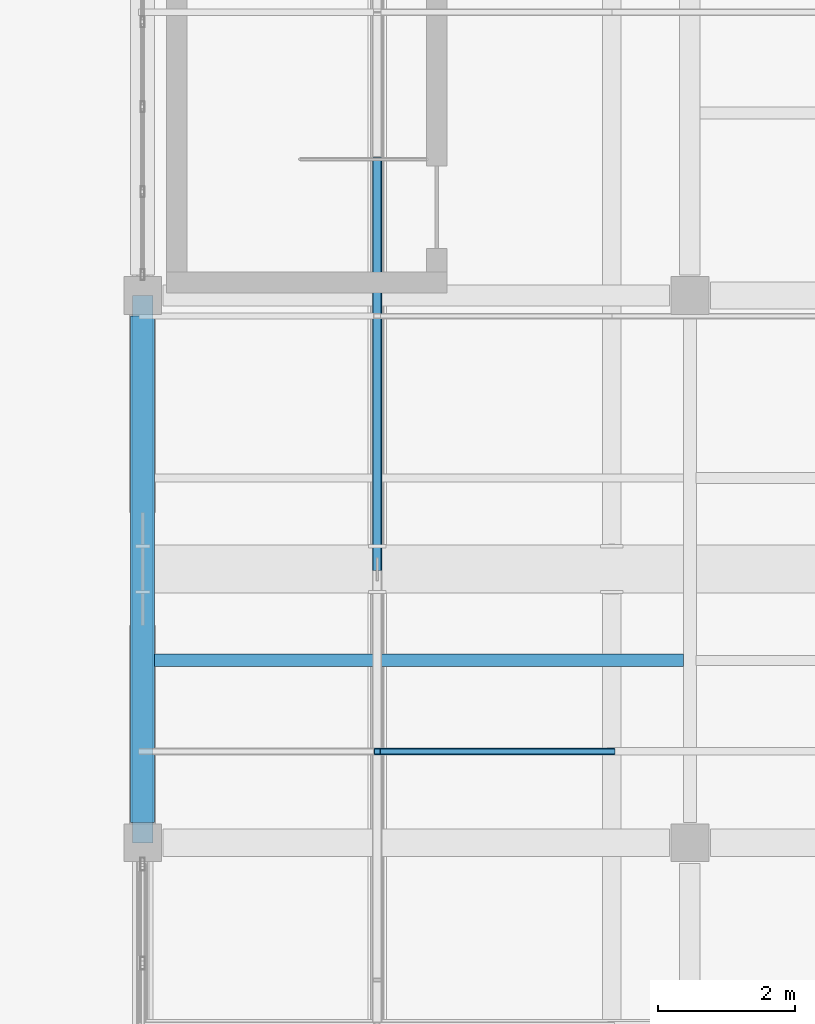
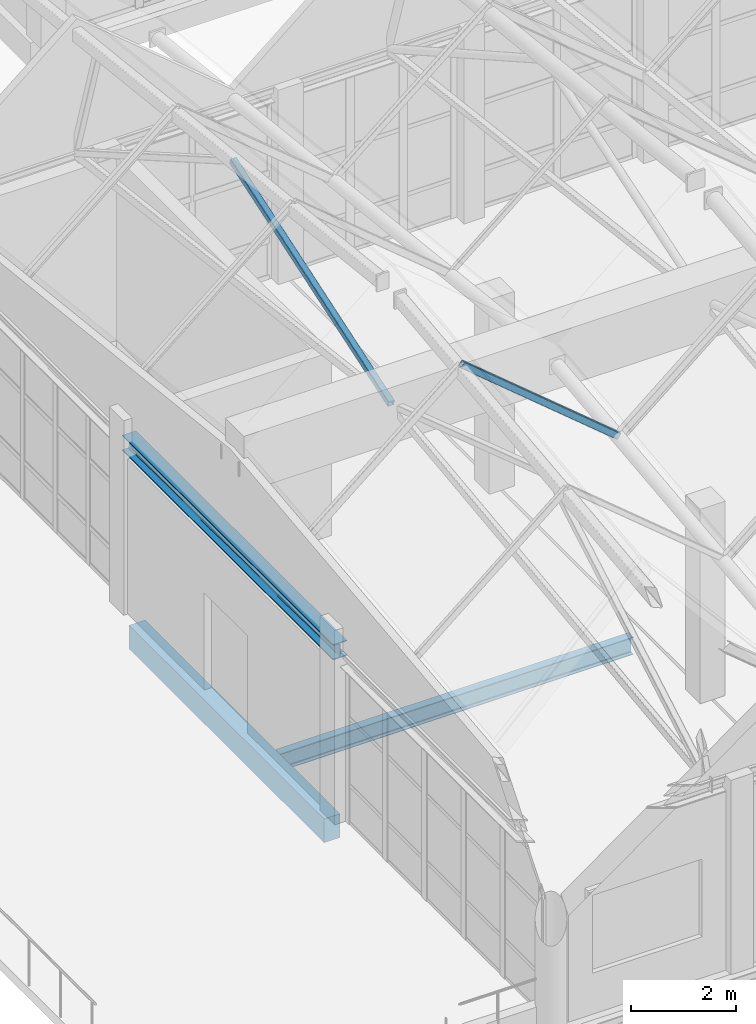
# One storey, part 55 of 183: 3 beams, 2 members.
"""IFC4 building model written with IfcOpenShell, lengths in metres."""

import ifcopenshell
import ifcopenshell.guid

model = None  # the IFC model being written
_history = None  # IfcOwnerHistory: only IFC2X3 demands one
_inside = {}  # id of a spatial element -> (the spatial element, [elements in it])
_under = {}  # id of a project, library or spatial element -> (it, [spatial elements below it])
_declared = {}  # id of a project -> (the project, [libraries it declares])
_typed = {}  # id of a type object -> (the type object, [elements of that type])
_made_of = {}  # id of a material, layer set ... -> (it, [elements and type objects made of it])


def new_model(schema):
    """Start an empty IFC model of exactly this schema.

    Asked for "IFC4X3", IfcOpenShell would pick the latest addendum, in which some entities
    have other attributes; the version numbers below select the first issue.
    IFC2X3 requires an IfcOwnerHistory on every rooted entity: one is made here for all.
    """
    global model, _history
    if schema == "IFC4X3":
        model = ifcopenshell.file(schema_version=(4, 3, 0, 0))
    else:
        model = ifcopenshell.file(schema=schema)
    _inside.clear()
    _under.clear()
    _declared.clear()
    _typed.clear()
    _made_of.clear()
    _history = None
    if model.schema == "IFC2X3":
        org = make("IfcOrganization", Name="unknown")
        user = make(
            "IfcPersonAndOrganization",
            ThePerson=make("IfcPerson", FamilyName="unknown"),
            TheOrganization=org,
        )
        app = make(
            "IfcApplication",
            ApplicationDeveloper=org,
            Version="unknown",
            ApplicationFullName="unknown",
            ApplicationIdentifier="unknown",
        )
        _history = make(
            "IfcOwnerHistory",
            OwningUser=user,
            OwningApplication=app,
            ChangeAction="ADDED",
            CreationDate=0,
        )
    return model


def make(cls, **values):
    """One entity of the class cls with the attributes given. An attribute that is None is left unset."""
    return model.create_entity(
        cls, **{name: value for name, value in values.items() if value is not None}
    )


def rooted(cls, **values):
    """An entity with a GlobalId (a new one), such as an element, a storey or a relation."""
    return make(cls, GlobalId=ifcopenshell.guid.new(), OwnerHistory=_history, **values)


def si_unit(unit_type, name, prefix=None):
    """IfcSIUnit, for example si_unit("LENGTHUNIT", "METRE", prefix="MILLI")."""
    return make("IfcSIUnit", UnitType=unit_type, Prefix=prefix, Name=name)


def assignment(units):
    """IfcUnitAssignment: the units of a project."""
    return None if units is None else make("IfcUnitAssignment", Units=units)


def point(xyz):
    """IfcCartesianPoint."""
    return None if xyz is None else make("IfcCartesianPoint", Coordinates=xyz)


def direction(xyz):
    """IfcDirection."""
    return None if xyz is None else make("IfcDirection", DirectionRatios=xyz)


def frame(location, z_axis=None, x_axis=None):
    """IfcAxis2Placement3D, a coordinate frame: its origin and axes. An axis left out is left unset."""
    return make(
        "IfcAxis2Placement3D",
        Location=point(location),
        Axis=direction(z_axis),
        RefDirection=direction(x_axis),
    )


def frame_2d(location, x_axis=None):
    """IfcAxis2Placement2D, a coordinate frame in the plane: its origin and x axis."""
    return make(
        "IfcAxis2Placement2D", Location=point(location), RefDirection=direction(x_axis)
    )


def origin():
    """The frame at (0, 0, 0) with its axes left unset."""
    return frame((0.0, 0.0, 0.0))


def origin_2d():
    """The frame at (0, 0) in the plane with its x axis left unset."""
    return frame_2d((0.0, 0.0))


def place(relative_to, where):
    """IfcLocalPlacement: puts the frame where relative to a parent placement (None: the world)."""
    return make(
        "IfcLocalPlacement", PlacementRelTo=relative_to, RelativePlacement=where
    )


def context(
    kind, dimensions, precision=None, world=None, true_north=None, identifier=None
):
    """IfcGeometricRepresentationContext, for example the 3D "Model" context."""
    return make(
        "IfcGeometricRepresentationContext",
        ContextIdentifier=identifier,
        ContextType=kind,
        CoordinateSpaceDimension=dimensions,
        Precision=precision,
        WorldCoordinateSystem=world,
        TrueNorth=true_north,
    )


def subcontext(parent, identifier, kind, view, scale=None):
    """IfcGeometricRepresentationSubContext, for example "Body" below "Model"."""
    return make(
        "IfcGeometricRepresentationSubContext",
        ContextIdentifier=identifier,
        ContextType=kind,
        ParentContext=parent,
        TargetScale=scale,
        TargetView=view,
    )


def project(units=None, contexts=None):
    """IfcProject with its units and contexts."""
    return rooted(
        "IfcProject",
        Name="project",
        RepresentationContexts=contexts,
        UnitsInContext=assignment(units),
    )


def spatial(cls, under=None, at=None, **own):
    """A site, building, storey or space (cls), placed at a placement, below another one or the project."""
    s = rooted(cls, ObjectPlacement=at, **own)
    if under is not None:
        _under.setdefault(under.id(), (under, []))[1].append(s)
    return s


def profile(cls, at=None, kind="AREA", **sizes):
    """A parametric profile (cls). Its sizes go by their IFC names, for example OverallWidth=200.0."""
    return make(cls, ProfileType=kind, Position=at, **sizes)


def rectangle(**sizes):
    """IfcRectangleProfileDef."""
    return profile("IfcRectangleProfileDef", **sizes)


def hollow_rectangle(**sizes):
    """IfcRectangleHollowProfileDef."""
    return profile("IfcRectangleHollowProfileDef", **sizes)


def i_section(**sizes):
    """IfcIShapeProfileDef."""
    return profile("IfcIShapeProfileDef", **sizes)


def extrude(swept, where, along, depth):
    """IfcExtrudedAreaSolid: the profile swept, set in the frame where, extruded along a direction by depth."""
    return make(
        "IfcExtrudedAreaSolid",
        SweptArea=swept,
        Position=where,
        ExtrudedDirection=direction(along),
        Depth=depth,
    )


def shape(context_of_items, identifier, shape_type, items):
    """IfcShapeRepresentation: the items that make up one representation, for example the "Body"."""
    return make(
        "IfcShapeRepresentation",
        ContextOfItems=context_of_items,
        RepresentationIdentifier=identifier,
        RepresentationType=shape_type,
        Items=items,
    )


def material(Name=None, Category=None):
    """IfcMaterial."""
    return make("IfcMaterial", Name=Name, Category=Category)


def material_profile(
    of_material, cross_section, Name=None, Category=None, Priority=None
):
    """IfcMaterialProfile: a cross section and its material."""
    return make(
        "IfcMaterialProfile",
        Name=Name,
        Material=of_material,
        Profile=cross_section,
        Priority=Priority,
        Category=Category,
    )


def profile_set(profiles, Name=None, composite=None):
    """IfcMaterialProfileSet."""
    return make(
        "IfcMaterialProfileSet",
        Name=Name,
        MaterialProfiles=profiles,
        CompositeProfile=composite,
    )


def made_of(thing, what):
    """Note that an element or type object is made of a material, layer set ...; save() writes the relation."""
    if what is not None:
        _made_of.setdefault(what.id(), (what, []))[1].append(thing)
    return thing


def type_object(cls, material=None, **own):
    """A type object (cls), such as IfcWallType, which elements share."""
    return made_of(rooted(cls, **own), material)


def element(
    cls,
    number,
    at=None,
    inside=None,
    cuts=None,
    type_object=None,
    material=None,
    context=None,
    identifier="Body",
    shape_type=None,
    held_by="IfcProductDefinitionShape",
    body=None,
    shapes=None,
    **own,
):
    """One element of the class cls, such as IfcWall. Its Tag is "e" and its number.

    at: its placement. inside: the storey or other place that contains it. cuts: it is an
    opening in that element (IfcRelVoidsElement). A single representation is given by context,
    identifier, shape_type and body (its items); several are given by shapes. held_by: the class
    of the entity that holds the representations. save() writes the other relations.
    """
    e = rooted(cls, Tag="e%d" % number, ObjectPlacement=at, **own)
    if body is not None:
        shapes = [shape(context, identifier, shape_type, body)]
    if shapes is not None:
        e.Representation = make(held_by, Representations=shapes)
    if inside is not None:
        _inside.setdefault(inside.id(), (inside, []))[1].append(e)
    if cuts is not None:
        rooted(
            "IfcRelVoidsElement", RelatingBuildingElement=cuts, RelatedOpeningElement=e
        )
    if type_object is not None:
        _typed.setdefault(type_object.id(), (type_object, []))[1].append(e)
    return made_of(e, material)


def aggregate(whole, parts):
    """IfcRelAggregates: a whole, such as a stair, and the parts it consists of."""
    return rooted("IfcRelAggregates", RelatingObject=whole, RelatedObjects=parts)


def save(model, path):
    """Write the relations noted so far, then the file.

    IfcRelAggregates (storeys below a building ...), IfcRelContainedInSpatialStructure (elements
    in a storey), IfcRelDefinesByType, IfcRelAssociatesMaterial and IfcRelDeclares: one each for
    every whole, place, type object, material and project.
    """
    for whole, parts in _under.values():
        aggregate(whole, parts)
    for where, things in _inside.values():
        rooted(
            "IfcRelContainedInSpatialStructure",
            RelatedElements=things,
            RelatingStructure=where,
        )
    for kind, things in _typed.values():
        rooted("IfcRelDefinesByType", RelatedObjects=things, RelatingType=kind)
    for what, things in _made_of.values():
        rooted("IfcRelAssociatesMaterial", RelatedObjects=things, RelatingMaterial=what)
    for by, libraries in _declared.values():
        rooted("IfcRelDeclares", RelatingContext=by, RelatedDefinitions=libraries)
    model.write(path)


model = new_model("IFC4")

# Units and contexts
model_context = context("Model", 3, precision=1e-05, world=origin(), true_north=direction((0.0, 1.0)))
body_context = subcontext(model_context, "Body", "Model", "MODEL_VIEW")
ifc_project = project(units=[si_unit("LENGTHUNIT", "METRE"), si_unit("AREAUNIT", "SQUARE_METRE"), si_unit("VOLUMEUNIT", "CUBIC_METRE"), si_unit("PLANEANGLEUNIT", "RADIAN"), si_unit("MASSUNIT", "GRAM", prefix="KILO")], contexts=[model_context])

# Site, building, storey
site_placement = place(None, origin())
site = spatial("IfcSite", under=ifc_project, at=site_placement, CompositionType="ELEMENT")
building_placement = place(site_placement, origin())
building = spatial("IfcBuilding", under=site, at=building_placement, Name="Luwemba Playhouse", CompositionType="ELEMENT")
storey_placement = place(building_placement, frame((0.0, 0.0, 4.800048828125)))
storey = spatial("IfcBuildingStorey", under=building, at=storey_placement, Name="L01", CompositionType="ELEMENT", Elevation=4.800048828125)

# Beams
ifc_material_1 = material(Name="Steel S355", Category="steel")
ifc_material_profile_1 = material_profile(ifc_material_1, i_section(OverallWidth=0.300048828125, OverallDepth=0.360107421875, WebThickness=0.012451171875, FlangeThickness=0.0224609375, FilletRadius=0.027099609375, at=origin_2d()))
ifc_profile_set_1 = profile_set([ifc_material_profile_1], Name="Steel S355")
beam_type_1 = type_object("IfcBeamType", Name="BM-SB09", PredefinedType="BEAM", material=ifc_profile_set_1)
beam_1_placement = place(storey_placement, frame((124.0, 11.0, 3.780029296875), z_axis=(0.0, 1.0, 0.0), x_axis=(-1.0, 0.0, 0.0)))
element("IfcBeam", 1, at=beam_1_placement, inside=storey, type_object=beam_type_1, Name="RF-V5E gable ring beam 0304", PredefinedType="BEAM", context=body_context, shape_type="SweptSolid", body=[
    extrude(i_section(OverallWidth=0.300048828125, OverallDepth=0.360107421875, WebThickness=0.012451171875, FlangeThickness=0.0224609375, FilletRadius=0.027099609375, at=origin_2d()), origin(), (0.0, 0.0, 1.0), 8.0),
])
ifc_material_profile_2 = material_profile(ifc_material_1, i_section(OverallWidth=0.179931640625, OverallDepth=0.39990234375, WebThickness=0.008544921875, FlangeThickness=0.013427734375, FilletRadius=0.02099609375, at=origin_2d()))
ifc_profile_set_2 = profile_set([ifc_material_profile_2], Name="Steel S355")
beam_type_2 = type_object("IfcBeamType", Name="BM-SJ08", PredefinedType="JOIST", material=ifc_profile_set_2)
beam_2_placement = place(storey_placement, frame((124.1708984375, 13.666748046875, -0.449951171875), z_axis=(1.0, 0.0, 0.0), x_axis=(0.0, 1.0, 0.0)))
element("IfcBeam", 2, at=beam_2_placement, inside=storey, type_object=beam_type_2, Name="L01 composite floor joist 0309", PredefinedType="JOIST", context=body_context, shape_type="SweptSolid", body=[
    extrude(i_section(OverallWidth=0.179931640625, OverallDepth=0.39990234375, WebThickness=0.008544921875, FlangeThickness=0.013427734375, FilletRadius=0.02099609375, at=origin_2d()), origin(), (0.0, 0.0, 1.0), 7.738037109375),
])
ifc_material_2 = material(Name="Concrete C40/50", Category="concrete")
ifc_material_profile_3 = material_profile(ifc_material_2, rectangle(XDim=0.35009765625, YDim=0.550048828125, at=origin_2d()))
ifc_profile_set_3 = profile_set([ifc_material_profile_3], Name="Concrete C40/50")
beam_type_3 = type_object("IfcBeamType", Name="BM-SP2", PredefinedType="SPANDREL", material=ifc_profile_set_3)
beam_3_placement = place(storey_placement, frame((124.0, 11.300048828125, -0.525146484375), z_axis=(0.0, 1.0, 0.0), x_axis=(-1.0, 0.0, 0.0)))
element("IfcBeam", 3, at=beam_3_placement, inside=storey, type_object=beam_type_3, Name="L01 transverse girder 0544", PredefinedType="SPANDREL", context=body_context, shape_type="SweptSolid", body=[
    extrude(rectangle(XDim=0.35009765625, YDim=0.550048828125, at=origin_2d()), origin(), (0.0, 0.0, 1.0), 7.39990234375),
])

# Members
ifc_material_profile_4 = material_profile(ifc_material_1, hollow_rectangle(XDim=0.139892578125, YDim=0.139892578125, WallThickness=0.008056640625, InnerFilletRadius=0.011962890625, OuterFilletRadius=0.02001953125, at=origin_2d()))
ifc_profile_set_4 = profile_set([ifc_material_profile_4], Name="Steel S355")
member_type_1 = type_object("IfcMemberType", Name="MEM-MB07", PredefinedType="BRACE", material=ifc_profile_set_4)
member_1_placement = place(storey_placement, frame((127.4287109375, 15.0, 5.864013671875), z_axis=(0.0, 0.949053370106, 0.315115376793), x_axis=(-1.0, 0.0, 0.0)))
element("IfcMember", 4, at=member_1_placement, inside=storey, type_object=member_type_1, Name="ROOF TRUSS web diagonal 0269", PredefinedType="BRACE", context=body_context, shape_type="SweptSolid", body=[
    extrude(hollow_rectangle(XDim=0.139892578125, YDim=0.139892578125, WallThickness=0.008056640625, InnerFilletRadius=0.011962890625, OuterFilletRadius=0.02001953125, at=origin_2d()), origin(), (0.0, 0.0, 1.0), 6.322021484375),
])
ifc_material_profile_5 = material_profile(ifc_material_1, hollow_rectangle(XDim=0.10009765625, YDim=0.14990234375, WallThickness=0.008056640625, InnerFilletRadius=0.011962890625, OuterFilletRadius=0.02001953125, at=origin_2d()))
ifc_profile_set_5 = profile_set([ifc_material_profile_5], Name="Steel S355")
member_type_2 = type_object("IfcMemberType", Name="MEM-MP02", PredefinedType="PURLIN", material=ifc_profile_set_5)
member_2_placement = place(storey_placement, frame((127.4287109375, 12.3359375, 8.394775390625), z_axis=(0.768342353216, 0.0, -0.640039083381), x_axis=(0.0, 1.0, 0.0)))
element("IfcMember", 5, at=member_2_placement, inside=storey, type_object=member_type_2, Name="Pleated roof purlin 0537", PredefinedType="PURLIN", context=body_context, shape_type="SweptSolid", body=[
    extrude(hollow_rectangle(XDim=0.10009765625, YDim=0.14990234375, WallThickness=0.008056640625, InnerFilletRadius=0.011962890625, OuterFilletRadius=0.02001953125, at=origin_2d()), origin(), (0.0, 0.0, 1.0), 4.462158203125),
])

save(model, "model.ifc")
